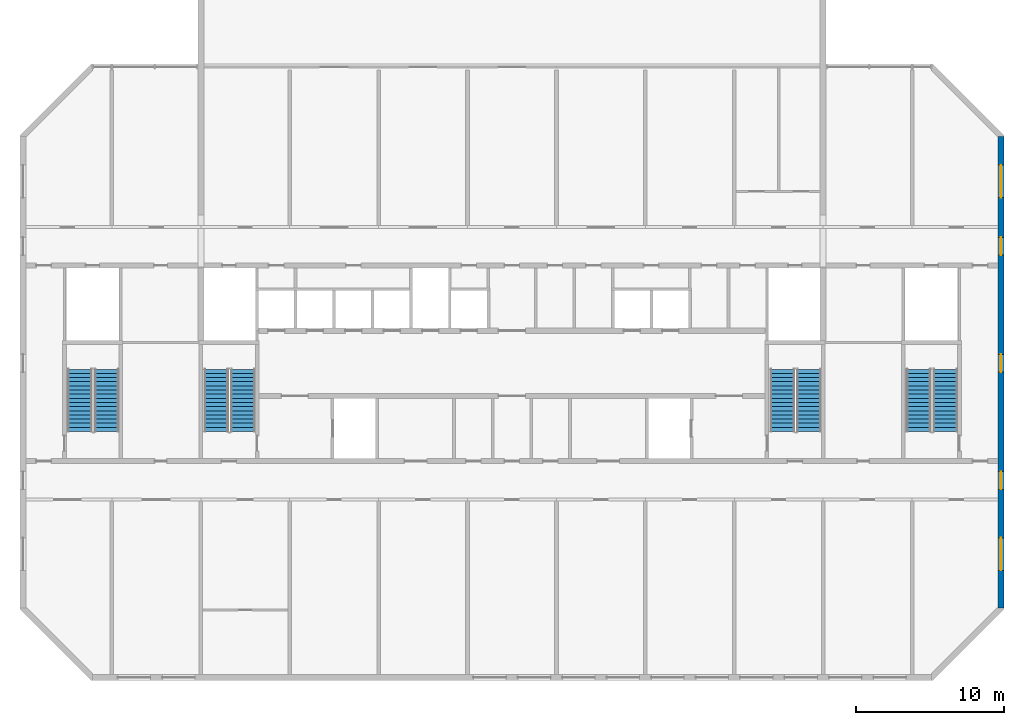
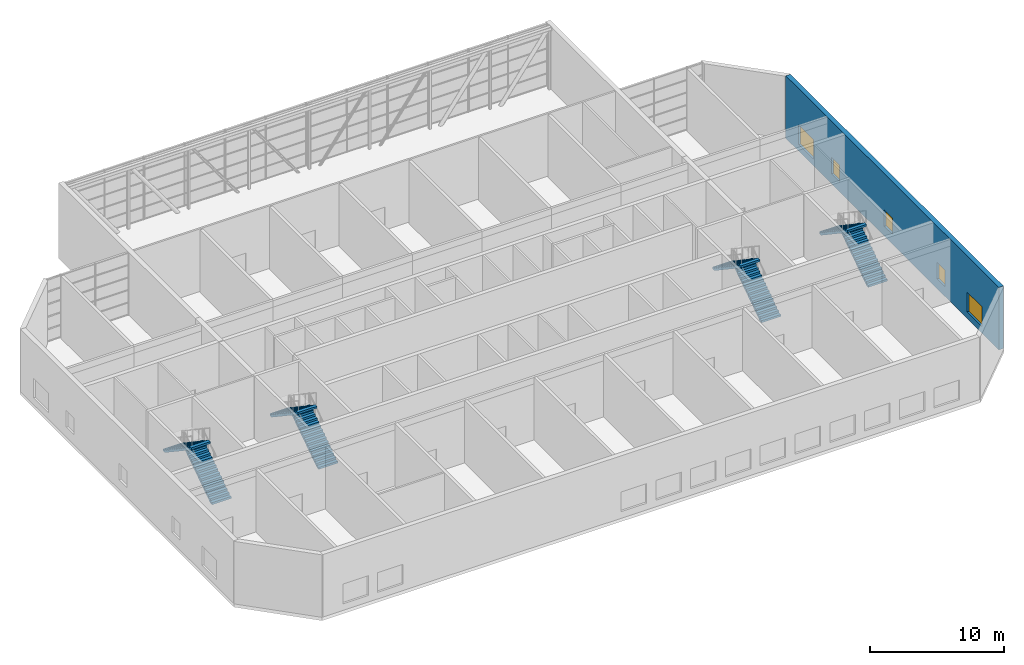
# One storey, part 15 of 17: 8 stair flights, 5 windows, 1 wall, 5 openings, 4 elements without a shape of their own.
"""IFC4 building model written with IfcOpenShell, lengths in metres."""

from ifc_helpers import new_model, si_unit, direction, frame, frame_2d, origin, place, context, subcontext, project, spatial, polyline, rectangle, outline, extrude, material, layer, layer_set, type_object, element, fill, aggregate, save


model = new_model("IFC4")

# Units and contexts
model_context = context("Model", 3, precision=1e-05, world=origin(), true_north=direction((0.0, 1.0)))
body_context = subcontext(model_context, "Body", "Model", "MODEL_VIEW")
ifc_project = project(units=[si_unit("LENGTHUNIT", "METRE"), si_unit("AREAUNIT", "SQUARE_METRE"), si_unit("VOLUMEUNIT", "CUBIC_METRE"), si_unit("PLANEANGLEUNIT", "RADIAN"), si_unit("MASSUNIT", "GRAM", prefix="KILO")], contexts=[model_context])

# Site, building, storey
site_placement = place(None, origin())
site = spatial("IfcSite", under=ifc_project, at=site_placement, CompositionType="ELEMENT")
building_placement = place(site_placement, origin())
building = spatial("IfcBuilding", under=site, at=building_placement, Name="Poui Terraces", CompositionType="ELEMENT")
storey_placement = place(building_placement, frame((0.0, 0.0, 261.0)))
storey = spatial("IfcBuildingStorey", under=building, at=storey_placement, Name="L73", CompositionType="ELEMENT", Elevation=261.0)

# Wall, openings, windows
ifc_material_1 = material(Name="Concrete 50 MPa", Category="concrete")
ifc_layer_1 = layer(ifc_material_1, 0.39990234375)
ifc_layer_set_1 = layer_set([ifc_layer_1], Name="Concrete 50 MPa")
wall_type = type_object("IfcWallType", Name="END WALL 400 50MPa", PredefinedType="SHEAR", material=ifc_layer_set_1)
wall_placement = place(storey_placement, frame((84.0, 4.682861328125, 0.0), z_axis=(0.0, 0.0, 1.0), x_axis=(0.0, 1.0, 0.0)))
wall = element("IfcWall", 1, at=wall_placement, inside=storey, type_object=wall_type, Name="END WALL EAST", PredefinedType="SHEAR", context=body_context, shape_type="SweptSolid", body=[
    extrude(rectangle(XDim=31.834228515625, YDim=0.39990234375, at=frame_2d((15.9169921875, 0.0))), origin(), (0.0, 0.0, 1.0), 5.699951171875),
])
opening_1_placement = place(wall_placement, frame((23.817138671875, 0.0, 0.89990234375)))
opening_1 = element("IfcOpeningElement", 2, at=opening_1_placement, cuts=wall, Name="Opening W2", PredefinedType="OPENING", context=body_context, shape_type="SweptSolid", body=[
    extrude(rectangle(XDim=1.199951171875, YDim=1.5, at=frame_2d((0.60009765625, 0.75))), frame((0.0, 0.2099609375, 0.0), z_axis=(0.0, -1.0, 0.0), x_axis=(1.0, 0.0, 0.0)), (0.0, 0.0, 1.0), 0.419921875),
])
opening_2_placement = place(wall_placement, frame((8.01708984375, 0.0, 0.89990234375)))
opening_2 = element("IfcOpeningElement", 3, at=opening_2_placement, cuts=wall, Name="Opening W2", PredefinedType="OPENING", context=body_context, shape_type="SweptSolid", body=[
    extrude(rectangle(XDim=1.199951171875, YDim=1.5, at=frame_2d((0.60009765625, 0.75))), frame((0.0, 0.2099609375, 0.0), z_axis=(0.0, -1.0, 0.0), x_axis=(1.0, 0.0, 0.0)), (0.0, 0.0, 1.0), 0.419921875),
])
opening_3_placement = place(wall_placement, frame((27.693603515625, 0.0, 0.60009765625)))
opening_3 = element("IfcOpeningElement", 4, at=opening_3_placement, cuts=wall, Name="Opening W3", PredefinedType="OPENING", context=body_context, shape_type="SweptSolid", body=[
    extrude(rectangle(XDim=2.199951171875, YDim=1.800048828125, at=frame_2d((1.10009765625, 0.89990234375))), frame((0.0, 0.2099609375, 0.0), z_axis=(0.0, -1.0, 0.0), x_axis=(1.0, 0.0, 0.0)), (0.0, 0.0, 1.0), 0.419921875),
])
opening_4_placement = place(wall_placement, frame((2.541015625, 0.0, 0.60009765625)))
opening_4 = element("IfcOpeningElement", 5, at=opening_4_placement, cuts=wall, Name="Opening W3", PredefinedType="OPENING", context=body_context, shape_type="SweptSolid", body=[
    extrude(rectangle(XDim=2.199951171875, YDim=1.800048828125, at=frame_2d((1.10009765625, 0.89990234375))), frame((0.0, 0.2099609375, 0.0), z_axis=(0.0, -1.0, 0.0), x_axis=(1.0, 0.0, 0.0)), (0.0, 0.0, 1.0), 0.419921875),
])
opening_5_placement = place(wall_placement, frame((15.917236328125, 0.0, 0.89990234375)))
opening_5 = element("IfcOpeningElement", 6, at=opening_5_placement, cuts=wall, Name="Opening W2", PredefinedType="OPENING", context=body_context, shape_type="SweptSolid", body=[
    extrude(rectangle(XDim=1.199951171875, YDim=1.5, at=frame_2d((0.60009765625, 0.75))), frame((0.0, 0.2099609375, 0.0), z_axis=(0.0, -1.0, 0.0), x_axis=(1.0, 0.0, 0.0)), (0.0, 0.0, 1.0), 0.419921875),
])
ifc_material_2 = material(Name="Clear glass in aluminium frame", Category="aluminium")
window_type_1 = type_object("IfcWindowType", Name="WINDOW 1200X1500", PartitioningType="SINGLE_PANEL", PredefinedType="WINDOW", material=ifc_material_2)
window_1_placement = place(opening_1_placement, origin())
window_1 = element("IfcWindow", 7, at=window_1_placement, inside=storey, type_object=window_type_1, Name="W2 WINDOW", OverallHeight=1.5, OverallWidth=1.199951171875, PartitioningType="SINGLE_PANEL", PredefinedType="WINDOW", context=body_context, shape_type="SweptSolid", body=[
    extrude(rectangle(XDim=1.199951171875, YDim=1.5, at=frame_2d((0.60009765625, 0.75))), frame((0.0, 0.030029296875, 0.0), z_axis=(0.0, -1.0, 0.0), x_axis=(1.0, 0.0, 0.0)), (0.0, 0.0, 1.0), 0.06005859375),
])
fill(opening_1, window_1)
window_2_placement = place(opening_2_placement, origin())
window_2 = element("IfcWindow", 8, at=window_2_placement, inside=storey, type_object=window_type_1, Name="W2 WINDOW", OverallHeight=1.5, OverallWidth=1.199951171875, PartitioningType="SINGLE_PANEL", PredefinedType="WINDOW", context=body_context, shape_type="SweptSolid", body=[
    extrude(rectangle(XDim=1.199951171875, YDim=1.5, at=frame_2d((0.60009765625, 0.75))), frame((0.0, 0.030029296875, 0.0), z_axis=(0.0, -1.0, 0.0), x_axis=(1.0, 0.0, 0.0)), (0.0, 0.0, 1.0), 0.06005859375),
])
fill(opening_2, window_2)
window_3_placement = place(opening_5_placement, origin())
window_3 = element("IfcWindow", 9, at=window_3_placement, inside=storey, type_object=window_type_1, Name="W2 WINDOW", OverallHeight=1.5, OverallWidth=1.199951171875, PartitioningType="SINGLE_PANEL", PredefinedType="WINDOW", context=body_context, shape_type="SweptSolid", body=[
    extrude(rectangle(XDim=1.199951171875, YDim=1.5, at=frame_2d((0.60009765625, 0.75))), frame((0.0, 0.030029296875, 0.0), z_axis=(0.0, -1.0, 0.0), x_axis=(1.0, 0.0, 0.0)), (0.0, 0.0, 1.0), 0.06005859375),
])
fill(opening_5, window_3)
window_type_2 = type_object("IfcWindowType", Name="WINDOW 2200X1800", PartitioningType="DOUBLE_PANEL_HORIZONTAL", PredefinedType="WINDOW", material=ifc_material_2)
window_4_placement = place(opening_3_placement, origin())
window_4 = element("IfcWindow", 10, at=window_4_placement, inside=storey, type_object=window_type_2, Name="W3 WINDOW", OverallHeight=1.800048828125, OverallWidth=2.199951171875, PartitioningType="DOUBLE_PANEL_HORIZONTAL", PredefinedType="WINDOW", context=body_context, shape_type="SweptSolid", body=[
    extrude(rectangle(XDim=2.199951171875, YDim=1.800048828125, at=frame_2d((1.10009765625, 0.89990234375))), frame((0.0, 0.030029296875, 0.0), z_axis=(0.0, -1.0, 0.0), x_axis=(1.0, 0.0, 0.0)), (0.0, 0.0, 1.0), 0.06005859375),
])
fill(opening_3, window_4)
window_5_placement = place(opening_4_placement, origin())
window_5 = element("IfcWindow", 11, at=window_5_placement, inside=storey, type_object=window_type_2, Name="W3 WINDOW", OverallHeight=1.800048828125, OverallWidth=2.199951171875, PartitioningType="DOUBLE_PANEL_HORIZONTAL", PredefinedType="WINDOW", context=body_context, shape_type="SweptSolid", body=[
    extrude(rectangle(XDim=2.199951171875, YDim=1.800048828125, at=frame_2d((1.10009765625, 0.89990234375))), frame((0.0, 0.030029296875, 0.0), z_axis=(0.0, -1.0, 0.0), x_axis=(1.0, 0.0, 0.0)), (0.0, 0.0, 1.0), 0.06005859375),
])
fill(opening_4, window_5)

# Stair, stair flights
stair_type = type_object("IfcStairType", Name="EXIT STAIR 1650 50 MPA", PredefinedType="HALF_TURN_STAIR", material=ifc_material_1)
stair_1_placement = place(storey_placement, origin())
stair_1 = element("IfcStair", 12, at=stair_1_placement, inside=storey, type_object=stair_type, Name="L73 CORE STAIR EAST", PredefinedType="HALF_TURN_STAIR")
ifc_layer_2 = layer(ifc_material_1, 0.14990234375)
ifc_layer_set_2 = layer_set([ifc_layer_2], Name="Concrete 50 MPa")
stair_flight_type = type_object("IfcStairFlightType", Name="STAIR FLIGHT 16 RISERS 188 RISE 50 MPA", PredefinedType="STRAIGHT", material=ifc_layer_set_2)
stair_flight_1_placement = place(storey_placement, frame((71.050048828125, 16.60009765625, 0.0), z_axis=(0.0, 0.0, 1.0), x_axis=(0.0, 1.0, 0.0)))
stair_flight_1 = element("IfcStairFlight", 13, at=stair_flight_1_placement, type_object=stair_flight_type, Name="ST-CE flight 1", NumberOfRisers=16, NumberOfTreads=15, PredefinedType="STRAIGHT", RiserHeight=0.1875, TreadLength=0.28, context=body_context, shape_type="SweptSolid", body=[
    extrude(outline(polyline([(0.0, 0.0), (0.0, 0.1875), (0.280029296875, 0.1875), (0.280029296875, 0.375), (0.56005859375, 0.375), (0.56005859375, 0.5625), (0.840087890625, 0.5625), (0.840087890625, 0.75), (1.1201171875, 0.75), (1.1201171875, 0.9375), (1.39990234375, 0.9375), (1.39990234375, 1.125), (1.679931640625, 1.125), (1.679931640625, 1.3125), (1.9599609375, 1.3125), (1.9599609375, 1.5), (2.239990234375, 1.5), (2.239990234375, 1.6875), (2.52001953125, 1.6875), (2.52001953125, 1.875), (2.800048828125, 1.875), (2.800048828125, 2.0625), (3.080078125, 2.0625), (3.080078125, 2.25), (3.360107421875, 2.25), (3.360107421875, 2.4375), (3.639892578125, 2.4375), (3.639892578125, 2.625), (3.919921875, 2.625), (3.919921875, 2.8125), (4.199951171875, 2.8125), (4.199951171875, 3.0), (4.199951171875, 2.632080078125), (0.26953125, 0.0), (0.0, 0.0)])), frame((0.0, 0.824951171875, 0.0), z_axis=(0.0, -1.0, 0.0), x_axis=(1.0, 0.0, 0.0)), (0.0, 0.0, 1.0), 1.64990234375),
])
stair_flight_2_placement = place(storey_placement, frame((69.25, 20.800048828125, 3.0), z_axis=(0.0, 0.0, 1.0), x_axis=(0.0, -1.0, 0.0)))
stair_flight_2 = element("IfcStairFlight", 14, at=stair_flight_2_placement, type_object=stair_flight_type, Name="ST-CE flight 2", NumberOfRisers=16, NumberOfTreads=15, PredefinedType="STRAIGHT", RiserHeight=0.1875, TreadLength=0.28, context=body_context, shape_type="SweptSolid", body=[
    extrude(outline(polyline([(0.0, 0.0), (0.0, 0.1875), (0.280029296875, 0.1875), (0.280029296875, 0.375), (0.56005859375, 0.375), (0.56005859375, 0.5625), (0.840087890625, 0.5625), (0.840087890625, 0.75), (1.1201171875, 0.75), (1.1201171875, 0.9375), (1.39990234375, 0.9375), (1.39990234375, 1.125), (1.679931640625, 1.125), (1.679931640625, 1.3125), (1.9599609375, 1.3125), (1.9599609375, 1.5), (2.239990234375, 1.5), (2.239990234375, 1.6875), (2.52001953125, 1.6875), (2.52001953125, 1.875), (2.800048828125, 1.875), (2.800048828125, 2.0625), (3.080078125, 2.0625), (3.080078125, 2.25), (3.360107421875, 2.25), (3.360107421875, 2.4375), (3.639892578125, 2.4375), (3.639892578125, 2.625), (3.919921875, 2.625), (3.919921875, 2.8125), (4.199951171875, 2.8125), (4.199951171875, 3.0), (4.199951171875, 2.632080078125), (0.26953125, 0.0), (0.0, 0.0)])), frame((0.0, 0.824951171875, 0.0), z_axis=(0.0, -1.0, 0.0), x_axis=(1.0, 0.0, 0.0)), (0.0, 0.0, 1.0), 1.64990234375),
])
aggregate(stair_1, [stair_flight_1, stair_flight_2])

stair_2_placement = place(storey_placement, origin())
stair_2 = element("IfcStair", 15, at=stair_2_placement, inside=storey, type_object=stair_type, Name="L73 CORE STAIR WEST", PredefinedType="HALF_TURN_STAIR")
stair_flight_3_placement = place(storey_placement, frame((32.85009765625, 16.60009765625, 0.0), z_axis=(0.0, 0.0, 1.0), x_axis=(0.0, 1.0, 0.0)))
stair_flight_3 = element("IfcStairFlight", 16, at=stair_flight_3_placement, type_object=stair_flight_type, Name="ST-CW flight 1", NumberOfRisers=16, NumberOfTreads=15, PredefinedType="STRAIGHT", RiserHeight=0.1875, TreadLength=0.28, context=body_context, shape_type="SweptSolid", body=[
    extrude(outline(polyline([(0.0, 0.0), (0.0, 0.1875), (0.280029296875, 0.1875), (0.280029296875, 0.375), (0.56005859375, 0.375), (0.56005859375, 0.5625), (0.840087890625, 0.5625), (0.840087890625, 0.75), (1.1201171875, 0.75), (1.1201171875, 0.9375), (1.39990234375, 0.9375), (1.39990234375, 1.125), (1.679931640625, 1.125), (1.679931640625, 1.3125), (1.9599609375, 1.3125), (1.9599609375, 1.5), (2.239990234375, 1.5), (2.239990234375, 1.6875), (2.52001953125, 1.6875), (2.52001953125, 1.875), (2.800048828125, 1.875), (2.800048828125, 2.0625), (3.080078125, 2.0625), (3.080078125, 2.25), (3.360107421875, 2.25), (3.360107421875, 2.4375), (3.639892578125, 2.4375), (3.639892578125, 2.625), (3.919921875, 2.625), (3.919921875, 2.8125), (4.199951171875, 2.8125), (4.199951171875, 3.0), (4.199951171875, 2.632080078125), (0.26953125, 0.0), (0.0, 0.0)])), frame((0.0, 0.824951171875, 0.0), z_axis=(0.0, -1.0, 0.0), x_axis=(1.0, 0.0, 0.0)), (0.0, 0.0, 1.0), 1.64990234375),
])
stair_flight_4_placement = place(storey_placement, frame((31.050048828125, 20.800048828125, 3.0), z_axis=(0.0, 0.0, 1.0), x_axis=(0.0, -1.0, 0.0)))
stair_flight_4 = element("IfcStairFlight", 17, at=stair_flight_4_placement, type_object=stair_flight_type, Name="ST-CW flight 2", NumberOfRisers=16, NumberOfTreads=15, PredefinedType="STRAIGHT", RiserHeight=0.1875, TreadLength=0.28, context=body_context, shape_type="SweptSolid", body=[
    extrude(outline(polyline([(0.0, 0.0), (0.0, 0.1875), (0.280029296875, 0.1875), (0.280029296875, 0.375), (0.56005859375, 0.375), (0.56005859375, 0.5625), (0.840087890625, 0.5625), (0.840087890625, 0.75), (1.1201171875, 0.75), (1.1201171875, 0.9375), (1.39990234375, 0.9375), (1.39990234375, 1.125), (1.679931640625, 1.125), (1.679931640625, 1.3125), (1.9599609375, 1.3125), (1.9599609375, 1.5), (2.239990234375, 1.5), (2.239990234375, 1.6875), (2.52001953125, 1.6875), (2.52001953125, 1.875), (2.800048828125, 1.875), (2.800048828125, 2.0625), (3.080078125, 2.0625), (3.080078125, 2.25), (3.360107421875, 2.25), (3.360107421875, 2.4375), (3.639892578125, 2.4375), (3.639892578125, 2.625), (3.919921875, 2.625), (3.919921875, 2.8125), (4.199951171875, 2.8125), (4.199951171875, 3.0), (4.199951171875, 2.632080078125), (0.26953125, 0.0), (0.0, 0.0)])), frame((0.0, 0.824951171875, 0.0), z_axis=(0.0, -1.0, 0.0), x_axis=(1.0, 0.0, 0.0)), (0.0, 0.0, 1.0), 1.64990234375),
])
aggregate(stair_2, [stair_flight_3, stair_flight_4])

stair_3_placement = place(storey_placement, origin())
stair_3 = element("IfcStair", 18, at=stair_3_placement, inside=storey, type_object=stair_type, Name="L73 TIP STAIR EAST", PredefinedType="HALF_TURN_STAIR")
stair_flight_5_placement = place(storey_placement, frame((80.25, 16.60009765625, 0.0), z_axis=(0.0, 0.0, 1.0), x_axis=(0.0, 1.0, 0.0)))
stair_flight_5 = element("IfcStairFlight", 19, at=stair_flight_5_placement, type_object=stair_flight_type, Name="ST-E flight 1", NumberOfRisers=16, NumberOfTreads=15, PredefinedType="STRAIGHT", RiserHeight=0.1875, TreadLength=0.28, context=body_context, shape_type="SweptSolid", body=[
    extrude(outline(polyline([(0.0, 0.0), (0.0, 0.1875), (0.280029296875, 0.1875), (0.280029296875, 0.375), (0.56005859375, 0.375), (0.56005859375, 0.5625), (0.840087890625, 0.5625), (0.840087890625, 0.75), (1.1201171875, 0.75), (1.1201171875, 0.9375), (1.39990234375, 0.9375), (1.39990234375, 1.125), (1.679931640625, 1.125), (1.679931640625, 1.3125), (1.9599609375, 1.3125), (1.9599609375, 1.5), (2.239990234375, 1.5), (2.239990234375, 1.6875), (2.52001953125, 1.6875), (2.52001953125, 1.875), (2.800048828125, 1.875), (2.800048828125, 2.0625), (3.080078125, 2.0625), (3.080078125, 2.25), (3.360107421875, 2.25), (3.360107421875, 2.4375), (3.639892578125, 2.4375), (3.639892578125, 2.625), (3.919921875, 2.625), (3.919921875, 2.8125), (4.199951171875, 2.8125), (4.199951171875, 3.0), (4.199951171875, 2.632080078125), (0.26953125, 0.0), (0.0, 0.0)])), frame((0.0, 0.824951171875, 0.0), z_axis=(0.0, -1.0, 0.0), x_axis=(1.0, 0.0, 0.0)), (0.0, 0.0, 1.0), 1.64990234375),
])
stair_flight_6_placement = place(storey_placement, frame((78.449951171875, 20.800048828125, 3.0), z_axis=(0.0, 0.0, 1.0), x_axis=(0.0, -1.0, 0.0)))
stair_flight_6 = element("IfcStairFlight", 20, at=stair_flight_6_placement, type_object=stair_flight_type, Name="ST-E flight 2", NumberOfRisers=16, NumberOfTreads=15, PredefinedType="STRAIGHT", RiserHeight=0.1875, TreadLength=0.28, context=body_context, shape_type="SweptSolid", body=[
    extrude(outline(polyline([(0.0, 0.0), (0.0, 0.1875), (0.280029296875, 0.1875), (0.280029296875, 0.375), (0.56005859375, 0.375), (0.56005859375, 0.5625), (0.840087890625, 0.5625), (0.840087890625, 0.75), (1.1201171875, 0.75), (1.1201171875, 0.9375), (1.39990234375, 0.9375), (1.39990234375, 1.125), (1.679931640625, 1.125), (1.679931640625, 1.3125), (1.9599609375, 1.3125), (1.9599609375, 1.5), (2.239990234375, 1.5), (2.239990234375, 1.6875), (2.52001953125, 1.6875), (2.52001953125, 1.875), (2.800048828125, 1.875), (2.800048828125, 2.0625), (3.080078125, 2.0625), (3.080078125, 2.25), (3.360107421875, 2.25), (3.360107421875, 2.4375), (3.639892578125, 2.4375), (3.639892578125, 2.625), (3.919921875, 2.625), (3.919921875, 2.8125), (4.199951171875, 2.8125), (4.199951171875, 3.0), (4.199951171875, 2.632080078125), (0.26953125, 0.0), (0.0, 0.0)])), frame((0.0, 0.824951171875, 0.0), z_axis=(0.0, -1.0, 0.0), x_axis=(1.0, 0.0, 0.0)), (0.0, 0.0, 1.0), 1.64990234375),
])
aggregate(stair_3, [stair_flight_5, stair_flight_6])

stair_4_placement = place(storey_placement, origin())
stair_4 = element("IfcStair", 21, at=stair_4_placement, inside=storey, type_object=stair_type, Name="L73 TIP STAIR WEST", PredefinedType="HALF_TURN_STAIR")
stair_flight_7_placement = place(storey_placement, frame((23.64990234375, 16.60009765625, 0.0), z_axis=(0.0, 0.0, 1.0), x_axis=(0.0, 1.0, 0.0)))
stair_flight_7 = element("IfcStairFlight", 22, at=stair_flight_7_placement, type_object=stair_flight_type, Name="ST-W flight 1", NumberOfRisers=16, NumberOfTreads=15, PredefinedType="STRAIGHT", RiserHeight=0.1875, TreadLength=0.28, context=body_context, shape_type="SweptSolid", body=[
    extrude(outline(polyline([(0.0, 0.0), (0.0, 0.1875), (0.280029296875, 0.1875), (0.280029296875, 0.375), (0.56005859375, 0.375), (0.56005859375, 0.5625), (0.840087890625, 0.5625), (0.840087890625, 0.75), (1.1201171875, 0.75), (1.1201171875, 0.9375), (1.39990234375, 0.9375), (1.39990234375, 1.125), (1.679931640625, 1.125), (1.679931640625, 1.3125), (1.9599609375, 1.3125), (1.9599609375, 1.5), (2.239990234375, 1.5), (2.239990234375, 1.6875), (2.52001953125, 1.6875), (2.52001953125, 1.875), (2.800048828125, 1.875), (2.800048828125, 2.0625), (3.080078125, 2.0625), (3.080078125, 2.25), (3.360107421875, 2.25), (3.360107421875, 2.4375), (3.639892578125, 2.4375), (3.639892578125, 2.625), (3.919921875, 2.625), (3.919921875, 2.8125), (4.199951171875, 2.8125), (4.199951171875, 3.0), (4.199951171875, 2.632080078125), (0.26953125, 0.0), (0.0, 0.0)])), frame((0.0, 0.824951171875, 0.0), z_axis=(0.0, -1.0, 0.0), x_axis=(1.0, 0.0, 0.0)), (0.0, 0.0, 1.0), 1.64990234375),
])
stair_flight_8_placement = place(storey_placement, frame((21.85009765625, 20.800048828125, 3.0), z_axis=(0.0, 0.0, 1.0), x_axis=(0.0, -1.0, 0.0)))
stair_flight_8 = element("IfcStairFlight", 23, at=stair_flight_8_placement, type_object=stair_flight_type, Name="ST-W flight 2", NumberOfRisers=16, NumberOfTreads=15, PredefinedType="STRAIGHT", RiserHeight=0.1875, TreadLength=0.28, context=body_context, shape_type="SweptSolid", body=[
    extrude(outline(polyline([(0.0, 0.0), (0.0, 0.1875), (0.280029296875, 0.1875), (0.280029296875, 0.375), (0.56005859375, 0.375), (0.56005859375, 0.5625), (0.840087890625, 0.5625), (0.840087890625, 0.75), (1.1201171875, 0.75), (1.1201171875, 0.9375), (1.39990234375, 0.9375), (1.39990234375, 1.125), (1.679931640625, 1.125), (1.679931640625, 1.3125), (1.9599609375, 1.3125), (1.9599609375, 1.5), (2.239990234375, 1.5), (2.239990234375, 1.6875), (2.52001953125, 1.6875), (2.52001953125, 1.875), (2.800048828125, 1.875), (2.800048828125, 2.0625), (3.080078125, 2.0625), (3.080078125, 2.25), (3.360107421875, 2.25), (3.360107421875, 2.4375), (3.639892578125, 2.4375), (3.639892578125, 2.625), (3.919921875, 2.625), (3.919921875, 2.8125), (4.199951171875, 2.8125), (4.199951171875, 3.0), (4.199951171875, 2.632080078125), (0.26953125, 0.0), (0.0, 0.0)])), frame((0.0, 0.824951171875, 0.0), z_axis=(0.0, -1.0, 0.0), x_axis=(1.0, 0.0, 0.0)), (0.0, 0.0, 1.0), 1.64990234375),
])
aggregate(stair_4, [stair_flight_7, stair_flight_8])

save(model, "model.ifc")
